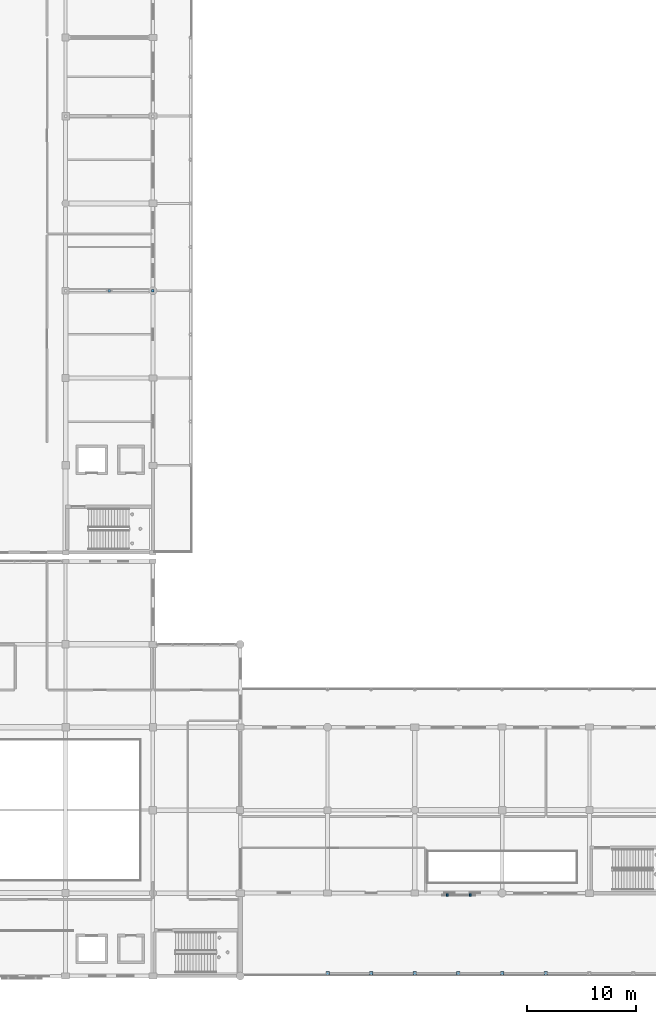
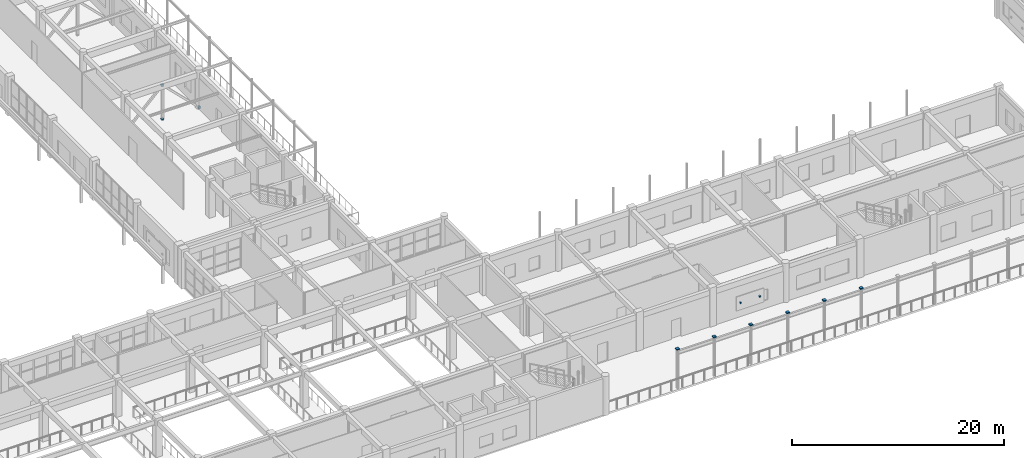
# One storey, part 140 of 160: 11 discrete accessories.
"""IFC4 building model written with IfcOpenShell, lengths in metres."""

from ifc_helpers import new_model, si_unit, direction, frame, origin, origin_2d, place, context, subcontext, project, spatial, rectangle, extrude, material, type_object, element, save


model = new_model("IFC4")

# Units and contexts
model_context = context("Model", 3, precision=1e-05, world=origin(), true_north=direction((0.0, 1.0)))
body_context = subcontext(model_context, "Body", "Model", "MODEL_VIEW")
ifc_project = project(units=[si_unit("LENGTHUNIT", "METRE"), si_unit("AREAUNIT", "SQUARE_METRE"), si_unit("VOLUMEUNIT", "CUBIC_METRE"), si_unit("PLANEANGLEUNIT", "RADIAN"), si_unit("MASSUNIT", "GRAM", prefix="KILO")], contexts=[model_context])

# Site, building, storey
site_placement = place(None, origin())
site = spatial("IfcSite", under=ifc_project, at=site_placement, CompositionType="ELEMENT")
building_placement = place(site_placement, origin())
building = spatial("IfcBuilding", under=site, at=building_placement, Name="Kharva Crest Polytechnic", CompositionType="ELEMENT")
storey_placement = place(building_placement, frame((0.0, 0.0, 4.5)))
storey = spatial("IfcBuildingStorey", under=building, at=storey_placement, Name="L01", CompositionType="ELEMENT", Elevation=4.5)

# Discrete accessories
ifc_material_1 = material(Name="Anodised aluminium", Category="aluminium")
discrete_accessory_type_1 = type_object("IfcDiscreteAccessoryType", Name="ACC-BRK-JAALI", PredefinedType="BRACKET", material=ifc_material_1)
for number, where, z_axis, x_axis, name in (
    (1, (74.976318359375, 7.41259765625, 1.56982421875), (0.0, 0.0, 1.0), (1.0, 0.0, 0.0), "L01 Jaali Screen Bracket 28.1"),
    (2, (77.076416015625, 7.41259765625, 1.56982421875), (0.0, 0.0, 1.0), (1.0, 0.0, 0.0), "L01 Jaali Screen Bracket 28.2"),
):
    element("IfcDiscreteAccessory", number, at=place(storey_placement, frame(where, z_axis=z_axis, x_axis=x_axis)), inside=storey, type_object=discrete_accessory_type_1, Name=name, PredefinedType="BRACKET", context=body_context, shape_type="SweptSolid", body=[
        extrude(rectangle(XDim=0.159912109375, YDim=0.239990234375, at=origin_2d()), origin(), (0.0, 0.0, 1.0), 0.159912109375),
    ])
ifc_material_2 = material(Name="Steel S355", Category="steel")
discrete_accessory_type_2 = type_object("IfcDiscreteAccessoryType", Name="ACC-SHOE-BF240", PredefinedType="SHOE", material=ifc_material_2)
for number, where, z_axis, x_axis, name in (
    (3, (48.0, 62.800048828125, -0.1201171875), (0.0, 0.0, 1.0), (1.0, 0.0, 0.0), "L01 Brace Foot Shoe 2B"),
    (4, (44.0, 62.800048828125, 3.830078125), (0.0, 0.0, 1.0), (1.0, 0.0, 0.0), "L01 Brace TOP Shoe 2"),
    (5, (44.0, 62.800048828125, -0.1201171875), (0.0, 0.0, 1.0), (1.0, 0.0, 0.0), "L01 Brace BOT Shoe 2"),
):
    element("IfcDiscreteAccessory", number, at=place(storey_placement, frame(where, z_axis=z_axis, x_axis=x_axis)), inside=storey, type_object=discrete_accessory_type_2, Name=name, PredefinedType="SHOE", context=body_context, shape_type="SweptSolid", body=[
        extrude(rectangle(XDim=0.239990234375, YDim=0.239990234375, at=origin_2d()), origin(), (0.0, 0.0, 1.0), 0.239990234375),
    ])
discrete_accessory_type_3 = type_object("IfcDiscreteAccessoryType", Name="ACC-SHOE-COL320", PredefinedType="SHOE", material=ifc_material_2)
for number, where, z_axis, x_axis, name in (
    (6, (64.0, 0.25, 4.43994140625), (0.0, 0.0, 1.0), (1.0, 0.0, 0.0), "L01 Colonnade Cap Shoe AS01"),
    (7, (72.0, 0.25, 4.43994140625), (0.0, 0.0, 1.0), (1.0, 0.0, 0.0), "L01 Colonnade Cap Shoe AS02"),
    (8, (80.0, 0.25, 4.43994140625), (0.0, 0.0, 1.0), (1.0, 0.0, 0.0), "L01 Colonnade Cap Shoe AS03"),
    (9, (68.0, 0.25, 4.43994140625), (0.0, 0.0, 1.0), (1.0, 0.0, 0.0), "L01 Colonnade Mid Cap Shoe ASM01"),
    (10, (76.0, 0.25, 4.43994140625), (0.0, 0.0, 1.0), (1.0, 0.0, 0.0), "L01 Colonnade Mid Cap Shoe ASM02"),
    (11, (84.0, 0.25, 4.43994140625), (0.0, 0.0, 1.0), (1.0, 0.0, 0.0), "L01 Colonnade Mid Cap Shoe ASM03"),
):
    element("IfcDiscreteAccessory", number, at=place(storey_placement, frame(where, z_axis=z_axis, x_axis=x_axis)), inside=storey, type_object=discrete_accessory_type_3, Name=name, PredefinedType="SHOE", context=body_context, shape_type="SweptSolid", body=[
        extrude(rectangle(XDim=0.320068359375, YDim=0.320068359375, at=origin_2d()), origin(), (0.0, 0.0, 1.0), 0.1201171875),
    ])

save(model, "model.ifc")
